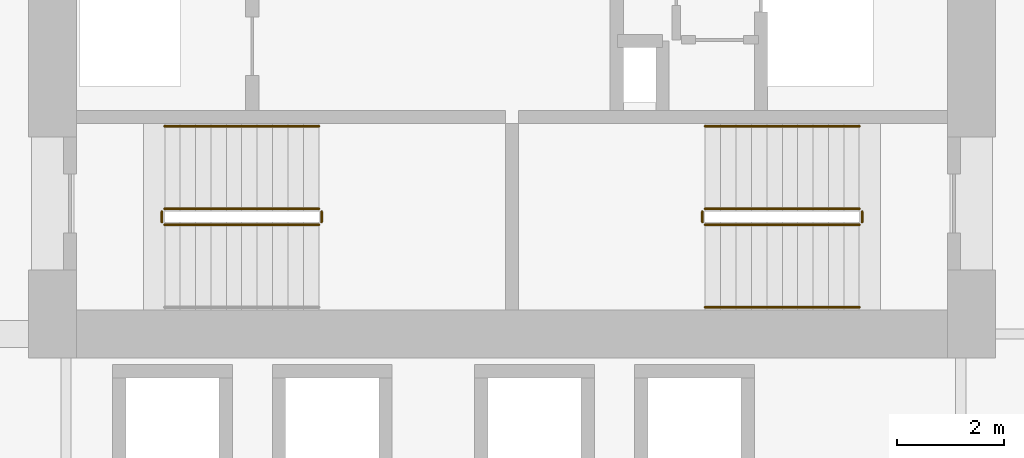
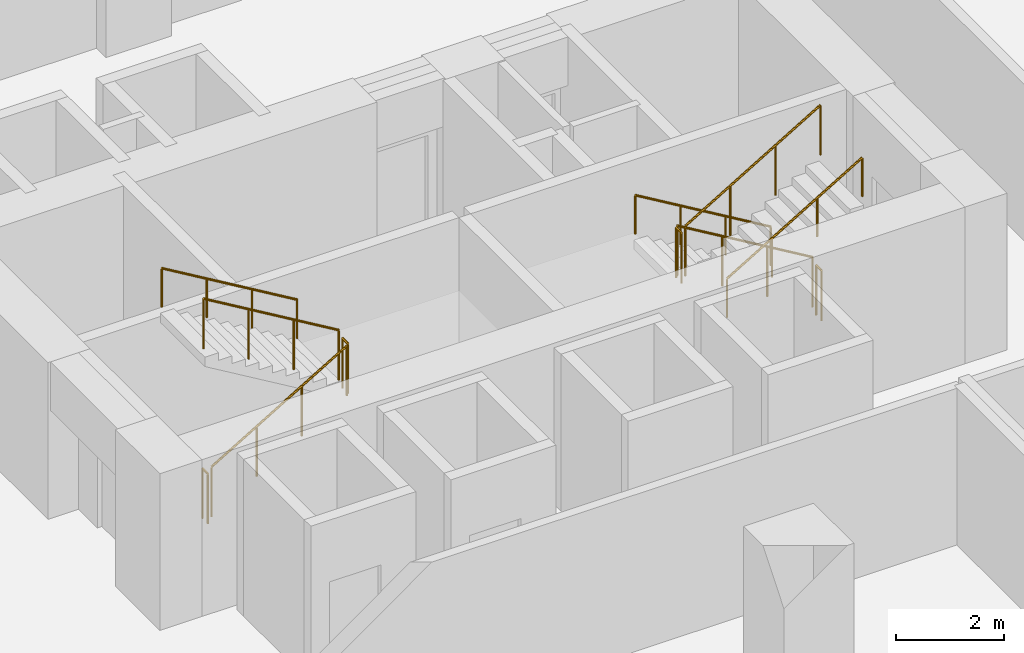
# One storey, part 16 of 18: 11 railings.
"""IFC4 building model written with IfcOpenShell, lengths in metres."""

from ifc_helpers import new_model, si_unit, direction, frame, origin, origin_2d, place, context, subcontext, project, spatial, circle, extrude, material, type_object, element, save


model = new_model("IFC4")

# Units and contexts
model_context = context("Model", 3, precision=1e-05, world=origin(), true_north=direction((0.0, 1.0)))
body_context = subcontext(model_context, "Body", "Model", "MODEL_VIEW")
ifc_project = project(units=[si_unit("LENGTHUNIT", "METRE"), si_unit("AREAUNIT", "SQUARE_METRE"), si_unit("VOLUMEUNIT", "CUBIC_METRE"), si_unit("PLANEANGLEUNIT", "RADIAN"), si_unit("MASSUNIT", "GRAM", prefix="KILO")], contexts=[model_context])

# Site, building, storey
site_placement = place(None, origin())
site = spatial("IfcSite", under=ifc_project, at=site_placement, CompositionType="ELEMENT")
building_placement = place(site_placement, origin())
building = spatial("IfcBuilding", under=site, at=building_placement, Name="Koriwani Terraces Tower", CompositionType="ELEMENT")
storey_placement = place(building_placement, frame((0.0, 0.0, 81.39990234375)))
storey = spatial("IfcBuildingStorey", under=building, at=storey_placement, Name="L19", CompositionType="ELEMENT", Elevation=81.39990234375)

# Railings
ifc_material = material(Name="Steel ASTM A572 Grade 50", Category="steel")
railing_type_1 = type_object("IfcRailingType", Name="GUARD_STAIR_WELL_1120", PredefinedType="GUARDRAIL", material=ifc_material)
railing_1_placement = place(storey_placement, frame((43.85009765625, 18.85009765625, 0.1728515625)))
element("IfcRailing", 1, at=railing_1_placement, inside=storey, type_object=railing_type_1, Name="L19 ST-E1 stair guard 1", PredefinedType="GUARDRAIL", context=body_context, shape_type="SweptSolid", body=[
    extrude(circle(Radius=0.02392578125, at=origin_2d()), frame((0.0, 0.0, 1.1259765625), z_axis=(0.859141464434, 0.0, 0.511738159696), x_axis=(0.0, 1.0, 0.0)), (0.0, 0.0, 1.0), 3.375244140625),
    extrude(circle(Radius=0.02099609375, at=origin_2d()), origin(), (0.0, 0.0, 1.0), 1.101806640625),
    extrude(circle(Radius=0.02099609375, at=origin_2d()), frame((0.966552734375, 0.0, 0.57568359375)), (0.0, 0.0, 1.0), 1.101806640625),
    extrude(circle(Radius=0.02099609375, at=origin_2d()), frame((1.933349609375, 0.0, 1.151611328125)), (0.0, 0.0, 1.0), 1.101806640625),
    extrude(circle(Radius=0.02099609375, at=origin_2d()), frame((2.89990234375, 0.0, 1.727294921875)), (0.0, 0.0, 1.0), 1.101806640625),
])
railing_2_placement = place(storey_placement, frame((46.800048828125, 18.89990234375, 1.900146484375)))
element("IfcRailing", 2, at=railing_2_placement, inside=storey, type_object=railing_type_1, Name="L19 ST-E1 stair guard 2", PredefinedType="GUARDRAIL", context=body_context, shape_type="SweptSolid", body=[
    extrude(circle(Radius=0.02392578125, at=origin_2d()), frame((0.0, 0.0, 1.1259765625), z_axis=(0.0, 1.0, 0.0), x_axis=(-1.0, 0.0, 0.0)), (0.0, 0.0, 1.0), 0.2001953125),
    extrude(circle(Radius=0.02099609375, at=origin_2d()), origin(), (0.0, 0.0, 1.0), 1.101806640625),
    extrude(circle(Radius=0.02099609375, at=origin_2d()), frame((0.0, 0.2001953125, 0.0)), (0.0, 0.0, 1.0), 1.101806640625),
])
railing_3_placement = place(storey_placement, frame((46.75, 19.14990234375, 2.07275390625)))
element("IfcRailing", 3, at=railing_3_placement, inside=storey, type_object=railing_type_1, Name="L19 ST-E1 stair guard 3", PredefinedType="GUARDRAIL", context=body_context, shape_type="SweptSolid", body=[
    extrude(circle(Radius=0.02392578125, at=origin_2d()), frame((0.0, 0.0, 1.1259765625), z_axis=(-0.859141464434, 0.0, 0.511738159696), x_axis=(0.0, -1.0, 0.0)), (0.0, 0.0, 1.0), 3.375244140625),
    extrude(circle(Radius=0.02099609375, at=origin_2d()), origin(), (0.0, 0.0, 1.0), 1.101806640625),
    extrude(circle(Radius=0.02099609375, at=origin_2d()), frame((-0.966552734375, 0.0, 0.57568359375)), (0.0, 0.0, 1.0), 1.101806640625),
    extrude(circle(Radius=0.02099609375, at=origin_2d()), frame((-1.933349609375, 0.0, 1.151611328125)), (0.0, 0.0, 1.0), 1.101806640625),
    extrude(circle(Radius=0.02099609375, at=origin_2d()), frame((-2.89990234375, 0.0, 1.727294921875)), (0.0, 0.0, 1.0), 1.101806640625),
])
railing_4_placement = place(storey_placement, frame((43.800048828125, 18.89990234375, 0.0)))
element("IfcRailing", 4, at=railing_4_placement, inside=storey, type_object=railing_type_1, Name="L19 ST-E1 stair guard 4", PredefinedType="GUARDRAIL", context=body_context, shape_type="SweptSolid", body=[
    extrude(circle(Radius=0.02392578125, at=origin_2d()), frame((0.0, 0.0, 1.1259765625), z_axis=(0.0, 1.0, 0.0), x_axis=(-1.0, 0.0, 0.0)), (0.0, 0.0, 1.0), 0.2001953125),
    extrude(circle(Radius=0.02099609375, at=origin_2d()), origin(), (0.0, 0.0, 1.0), 1.101806640625),
    extrude(circle(Radius=0.02099609375, at=origin_2d()), frame((0.0, 0.2001953125, 0.0)), (0.0, 0.0, 1.0), 1.101806640625),
])
railing_5_placement = place(storey_placement, frame((56.89990234375, 19.14990234375, 0.1728515625)))
element("IfcRailing", 5, at=railing_5_placement, inside=storey, type_object=railing_type_1, Name="L19 ST-E2 stair guard 1", PredefinedType="GUARDRAIL", context=body_context, shape_type="SweptSolid", body=[
    extrude(circle(Radius=0.02392578125, at=origin_2d()), frame((0.0, 0.0, 1.1259765625), z_axis=(-0.859141464434, 0.0, 0.511738159696), x_axis=(0.0, -1.0, 0.0)), (0.0, 0.0, 1.0), 3.375244140625),
    extrude(circle(Radius=0.02099609375, at=origin_2d()), origin(), (0.0, 0.0, 1.0), 1.101806640625),
    extrude(circle(Radius=0.02099609375, at=origin_2d()), frame((-0.966552734375, 0.0, 0.57568359375)), (0.0, 0.0, 1.0), 1.101806640625),
    extrude(circle(Radius=0.02099609375, at=origin_2d()), frame((-1.933349609375, 0.0, 1.151611328125)), (0.0, 0.0, 1.0), 1.101806640625),
    extrude(circle(Radius=0.02099609375, at=origin_2d()), frame((-2.89990234375, 0.0, 1.727294921875)), (0.0, 0.0, 1.0), 1.101806640625),
])
railing_6_placement = place(storey_placement, frame((53.949951171875, 19.10009765625, 1.900146484375)))
element("IfcRailing", 6, at=railing_6_placement, inside=storey, type_object=railing_type_1, Name="L19 ST-E2 stair guard 2", PredefinedType="GUARDRAIL", context=body_context, shape_type="SweptSolid", body=[
    extrude(circle(Radius=0.02392578125, at=origin_2d()), frame((0.0, 0.0, 1.1259765625), z_axis=(0.0, -1.0, 0.0), x_axis=(1.0, 0.0, 0.0)), (0.0, 0.0, 1.0), 0.2001953125),
    extrude(circle(Radius=0.02099609375, at=origin_2d()), origin(), (0.0, 0.0, 1.0), 1.101806640625),
    extrude(circle(Radius=0.02099609375, at=origin_2d()), frame((0.0, -0.2001953125, 0.0)), (0.0, 0.0, 1.0), 1.101806640625),
])
railing_7_placement = place(storey_placement, frame((54.0, 18.85009765625, 2.07275390625)))
element("IfcRailing", 7, at=railing_7_placement, inside=storey, type_object=railing_type_1, Name="L19 ST-E2 stair guard 3", PredefinedType="GUARDRAIL", context=body_context, shape_type="SweptSolid", body=[
    extrude(circle(Radius=0.02392578125, at=origin_2d()), frame((0.0, 0.0, 1.1259765625), z_axis=(0.859141464434, 0.0, 0.511738159696), x_axis=(0.0, 1.0, 0.0)), (0.0, 0.0, 1.0), 3.375244140625),
    extrude(circle(Radius=0.02099609375, at=origin_2d()), origin(), (0.0, 0.0, 1.0), 1.101806640625),
    extrude(circle(Radius=0.02099609375, at=origin_2d()), frame((0.966552734375, 0.0, 0.57568359375)), (0.0, 0.0, 1.0), 1.101806640625),
    extrude(circle(Radius=0.02099609375, at=origin_2d()), frame((1.933349609375, 0.0, 1.151611328125)), (0.0, 0.0, 1.0), 1.101806640625),
    extrude(circle(Radius=0.02099609375, at=origin_2d()), frame((2.89990234375, 0.0, 1.727294921875)), (0.0, 0.0, 1.0), 1.101806640625),
])
railing_8_placement = place(storey_placement, frame((56.949951171875, 19.10009765625, 0.0)))
element("IfcRailing", 8, at=railing_8_placement, inside=storey, type_object=railing_type_1, Name="L19 ST-E2 stair guard 4", PredefinedType="GUARDRAIL", context=body_context, shape_type="SweptSolid", body=[
    extrude(circle(Radius=0.02392578125, at=origin_2d()), frame((0.0, 0.0, 1.1259765625), z_axis=(0.0, -1.0, 0.0), x_axis=(1.0, 0.0, 0.0)), (0.0, 0.0, 1.0), 0.2001953125),
    extrude(circle(Radius=0.02099609375, at=origin_2d()), origin(), (0.0, 0.0, 1.0), 1.101806640625),
    extrude(circle(Radius=0.02099609375, at=origin_2d()), frame((0.0, -0.2001953125, 0.0)), (0.0, 0.0, 1.0), 1.101806640625),
])
railing_type_2 = type_object("IfcRailingType", Name="HANDRAIL_STAIR_920", PredefinedType="HANDRAIL", material=ifc_material)
for number, where, name in (
    (9, (46.75, 20.699951171875, 2.07275390625), "L19 ST-E1 stair handrail 2"),
    (10, (56.89990234375, 20.699951171875, 0.1728515625), "L19 ST-E2 stair handrail 1"),
):
    element("IfcRailing", number, at=place(storey_placement, frame(where)), inside=storey, type_object=railing_type_2, Name=name, PredefinedType="HANDRAIL", context=body_context, shape_type="SweptSolid", body=[
        extrude(circle(Radius=0.02392578125, at=origin_2d()), frame((0.0, 0.0, 0.8759765625), z_axis=(-0.859141464434, 0.0, 0.511738159696), x_axis=(0.0, -1.0, 0.0)), (0.0, 0.0, 1.0), 3.375244140625),
        extrude(circle(Radius=0.02099609375, at=origin_2d()), origin(), (0.0, 0.0, 1.0), 0.851806640625),
        extrude(circle(Radius=0.02099609375, at=origin_2d()), frame((-0.966552734375, 0.0, 0.57568359375)), (0.0, 0.0, 1.0), 0.851806640625),
        extrude(circle(Radius=0.02099609375, at=origin_2d()), frame((-1.933349609375, 0.0, 1.151611328125)), (0.0, 0.0, 1.0), 0.851806640625),
        extrude(circle(Radius=0.02099609375, at=origin_2d()), frame((-2.89990234375, 0.0, 1.727294921875)), (0.0, 0.0, 1.0), 0.851806640625),
    ])
railing_9_placement = place(storey_placement, frame((54.0, 17.300048828125, 2.07275390625)))
element("IfcRailing", 11, at=railing_9_placement, inside=storey, type_object=railing_type_2, Name="L19 ST-E2 stair handrail 2", PredefinedType="HANDRAIL", context=body_context, shape_type="SweptSolid", body=[
    extrude(circle(Radius=0.02392578125, at=origin_2d()), frame((0.0, 0.0, 0.8759765625), z_axis=(0.859141464434, 0.0, 0.511738159696), x_axis=(0.0, 1.0, 0.0)), (0.0, 0.0, 1.0), 3.375244140625),
    extrude(circle(Radius=0.02099609375, at=origin_2d()), origin(), (0.0, 0.0, 1.0), 0.851806640625),
    extrude(circle(Radius=0.02099609375, at=origin_2d()), frame((0.966552734375, 0.0, 0.57568359375)), (0.0, 0.0, 1.0), 0.851806640625),
    extrude(circle(Radius=0.02099609375, at=origin_2d()), frame((1.933349609375, 0.0, 1.151611328125)), (0.0, 0.0, 1.0), 0.851806640625),
    extrude(circle(Radius=0.02099609375, at=origin_2d()), frame((2.89990234375, 0.0, 1.727294921875)), (0.0, 0.0, 1.0), 0.851806640625),
])

save(model, "model.ifc")
